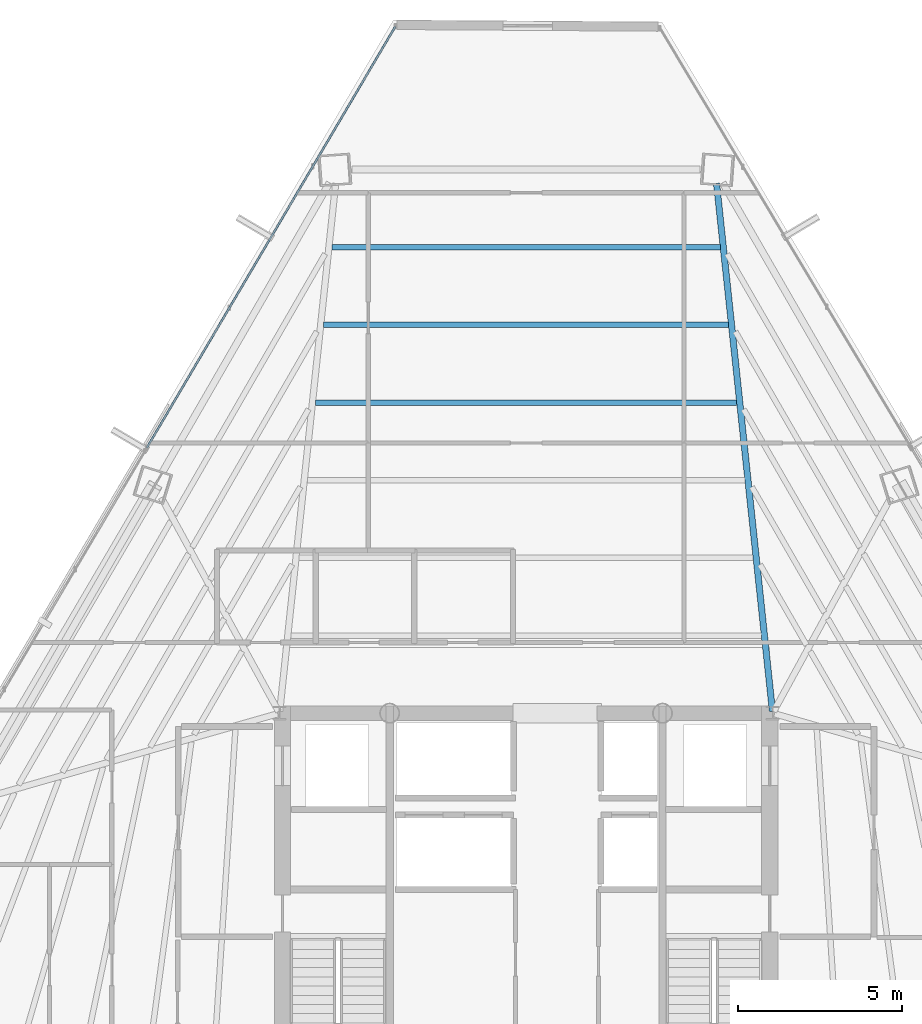
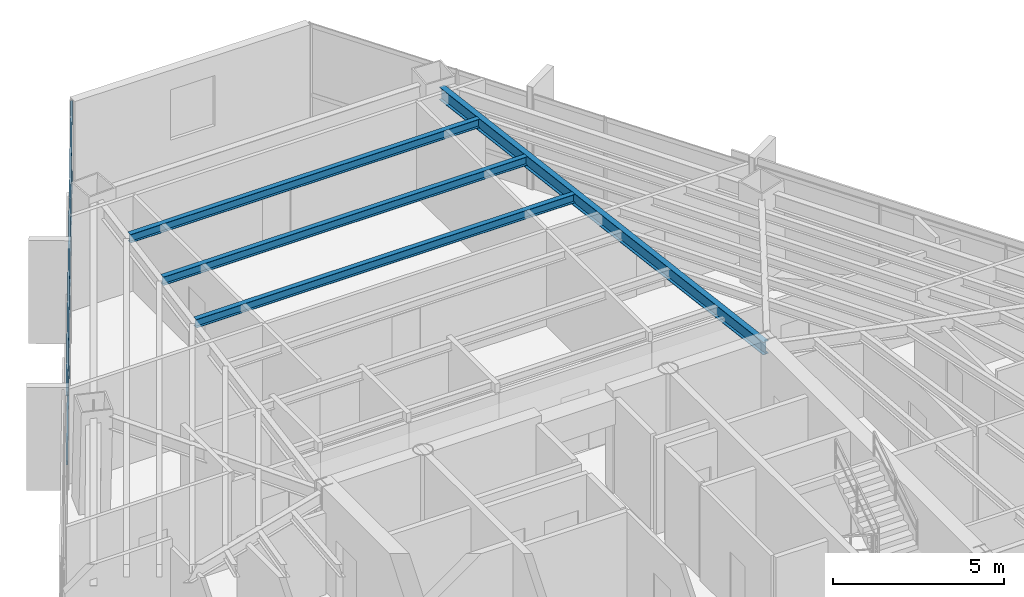
# One storey, part 29 of 41: 4 beams, 2 members, 1 element without a shape of its own.
"""IFC4 building model written with IfcOpenShell, lengths in metres."""

from ifc_helpers import new_model, si_unit, direction, frame, origin, origin_2d, place, context, subcontext, project, spatial, hollow_rectangle, i_section, extrude, source, transform, mapped, material, material_profile, profile_set, type_object, type_shapes, element, aggregate, save


model = new_model("IFC4")

# Units and contexts
model_context = context("Model", 3, precision=1e-05, world=origin(), true_north=direction((0.0, 1.0)))
body_context = subcontext(model_context, "Body", "Model", "MODEL_VIEW")
ifc_project = project(units=[si_unit("LENGTHUNIT", "METRE"), si_unit("AREAUNIT", "SQUARE_METRE"), si_unit("VOLUMEUNIT", "CUBIC_METRE"), si_unit("PLANEANGLEUNIT", "RADIAN"), si_unit("MASSUNIT", "GRAM", prefix="KILO")], contexts=[model_context])

# Site, building, storey
site_placement = place(None, origin())
site = spatial("IfcSite", under=ifc_project, at=site_placement, CompositionType="ELEMENT")
building_placement = place(site_placement, origin())
building = spatial("IfcBuilding", under=site, at=building_placement, Name="Caelisora Broadcast Tower", CompositionType="ELEMENT")
storey_placement = place(building_placement, frame((0.0, 0.0, 173.10009765625)))
storey = spatial("IfcBuildingStorey", under=building, at=storey_placement, Name="L45", CompositionType="ELEMENT", Elevation=173.10009765625)

# Beams
ifc_material_1 = material(Name="Steel Grade 350 (AS/NZS 3679.1)", Category="steel")
ifc_material_profile_1 = material_profile(ifc_material_1, i_section(OverallWidth=0.19091796875, OverallDepth=0.46044921875, WebThickness=0.010009765625, FlangeThickness=0.01611328125, at=origin_2d()), Name="Steel Grade 350 (AS/NZS 3679.1)")
ifc_profile_set_1 = profile_set([ifc_material_profile_1], Name="Steel Grade 350 (AS/NZS 3679.1)")
beam_type_1 = type_object("IfcBeamType", Name="PG06", PredefinedType="BEAM", material=ifc_profile_set_1)
shared_shape_1 = source(origin(), body_context, "Body", "SweptSolid", [
    extrude(i_section(OverallWidth=0.19091796875, OverallDepth=0.46044921875, WebThickness=0.010009765625, FlangeThickness=0.01611328125, at=origin_2d()), origin(), (0.0, 0.0, 1.0), 16.146728515625),
])
type_shapes(beam_type_1, [shared_shape_1])
beam_1_placement = place(storey_placement, frame((45.49365234375, 30.059814453125, 3.169677734375), z_axis=(-0.105327017269, 0.994437639791, 0.0), x_axis=(-0.994437639791, -0.105327017269, 0.0)))
element("IfcBeam", 1, at=beam_1_placement, inside=storey, type_object=beam_type_1, Name="L45 beam PG06", PredefinedType="BEAM", context=body_context, shape_type="MappedRepresentation", body=[
    mapped(shared_shape_1, transform((0.0, 0.0, 0.0), scale=1.0)),
])
ifc_material_profile_2 = material_profile(ifc_material_1, i_section(OverallWidth=0.166015625, OverallDepth=0.30712890625, WebThickness=0.006591796875, FlangeThickness=0.01171875, at=origin_2d()), Name="Steel Grade 350 (AS/NZS 3679.1)")
ifc_profile_set_2 = profile_set([ifc_material_profile_2], Name="Steel Grade 350 (AS/NZS 3679.1)")
beam_type_2 = type_object("IfcBeamType", Name="SB03", PredefinedType="JOIST", material=ifc_profile_set_2)
shared_shape_2 = source(origin(), body_context, "Body", "SweptSolid", [
    extrude(i_section(OverallWidth=0.166015625, OverallDepth=0.30712890625, WebThickness=0.006591796875, FlangeThickness=0.01171875, at=origin_2d()), origin(), (0.0, 0.0, 1.0), 12.8125),
])
beam_2_placement = place(storey_placement, frame((44.40625, 39.4482421875, 3.246337890625), z_axis=(-1.0, 0.0, 0.0), x_axis=(0.0, -1.0, 0.0)))
element("IfcBeam", 2, at=beam_2_placement, inside=storey, type_object=beam_type_2, Name="L45 beam SB03", PredefinedType="JOIST", context=body_context, shape_type="MappedRepresentation", body=[
    mapped(shared_shape_2, transform((0.0, 0.0, 0.0), scale=1.0)),
])
shared_shape_3 = source(origin(), body_context, "Body", "SweptSolid", [
    extrude(i_section(OverallWidth=0.166015625, OverallDepth=0.30712890625, WebThickness=0.006591796875, FlangeThickness=0.01171875, at=origin_2d()), origin(), (0.0, 0.0, 1.0), 12.31201171875),
])
beam_3_placement = place(storey_placement, frame((44.156005859375, 41.810302734375, 3.246337890625), z_axis=(-1.0, 0.0, 0.0), x_axis=(0.0, -1.0, 0.0)))
element("IfcBeam", 3, at=beam_3_placement, inside=storey, type_object=beam_type_2, Name="L45 beam SB03", PredefinedType="JOIST", context=body_context, shape_type="MappedRepresentation", body=[
    mapped(shared_shape_3, transform((0.0, 0.0, 0.0), scale=1.0)),
])
shared_shape_4 = source(origin(), body_context, "Body", "SweptSolid", [
    extrude(i_section(OverallWidth=0.166015625, OverallDepth=0.30712890625, WebThickness=0.006591796875, FlangeThickness=0.01171875, at=origin_2d()), origin(), (0.0, 0.0, 1.0), 11.81201171875),
])
type_shapes(beam_type_2, [shared_shape_2, shared_shape_3, shared_shape_4])
beam_4_placement = place(storey_placement, frame((43.906005859375, 44.17236328125, 3.246337890625), z_axis=(-1.0, 0.0, 0.0), x_axis=(0.0, -1.0, 0.0)))
element("IfcBeam", 4, at=beam_4_placement, inside=storey, type_object=beam_type_2, Name="L45 beam SB03", PredefinedType="JOIST", context=body_context, shape_type="MappedRepresentation", body=[
    mapped(shared_shape_4, transform((0.0, 0.0, 0.0), scale=1.0)),
])

# Curtain wall, members
ifc_material_2 = material(Name="Unitised Aluminium and Low-E Glass Curtain Wall", Category="glass")
curtain_wall_type = type_object("IfcCurtainWallType", Name="CW-Z3", PredefinedType="NOTDEFINED", material=ifc_material_2)
curtain_wall_placement = place(storey_placement, origin())
curtain_wall = element("IfcCurtainWall", 5, at=curtain_wall_placement, inside=storey, type_object=curtain_wall_type, Name="L45 curtain wall CW-Z3", PredefinedType="NOTDEFINED")
ifc_material_3 = material(Name="Aluminium 6063-T6 Anodised Terracotta Bronze", Category="aluminium")
ifc_material_profile_3 = material_profile(ifc_material_3, hollow_rectangle(XDim=0.06005859375, YDim=0.14990234375, WallThickness=0.00341796875, at=origin_2d()), Name="Aluminium 6063-T6 Anodised Terracotta Bronze")
ifc_profile_set_3 = profile_set([ifc_material_profile_3], Name="Aluminium 6063-T6 Anodised Terracotta Bronze")
member_type = type_object("IfcMemberType", Name="CWT-02", PredefinedType="USERDEFINED", material=ifc_profile_set_3)
shared_shape_5 = source(origin(), body_context, "Body", "SweptSolid", [
    extrude(hollow_rectangle(XDim=0.06005859375, YDim=0.14990234375, WallThickness=0.00341796875, at=origin_2d()), origin(), (0.0, 0.0, 1.0), 14.885009765625),
])
type_shapes(member_type, [shared_shape_5])
member_1_placement = place(storey_placement, frame((26.46142578125, 38.072021484375, 0.849853515625), z_axis=(0.508048361847, 0.861328544763, 0.0), x_axis=(-0.861328544763, 0.508048361847, 0.0)))
member_1 = element("IfcMember", 6, at=member_1_placement, type_object=member_type, Name="L45-CW-B11 transom #1", ObjectType="TRANSOM", PredefinedType="USERDEFINED", context=body_context, shape_type="MappedRepresentation", body=[
    mapped(shared_shape_5, transform((0.0, 0.0, 0.0), scale=1.0)),
])
member_2_placement = place(storey_placement, frame((26.46142578125, 38.072021484375, 3.31982421875), z_axis=(0.508048361847, 0.861328544763, 0.0), x_axis=(-0.861328544763, 0.508048361847, 0.0)))
member_2 = element("IfcMember", 7, at=member_2_placement, type_object=member_type, Name="L45-CW-B11 transom #2", ObjectType="TRANSOM", PredefinedType="USERDEFINED", context=body_context, shape_type="MappedRepresentation", body=[
    mapped(shared_shape_5, transform((0.0, 0.0, 0.0), scale=1.0)),
])
aggregate(curtain_wall, [member_1, member_2])

save(model, "model.ifc")
